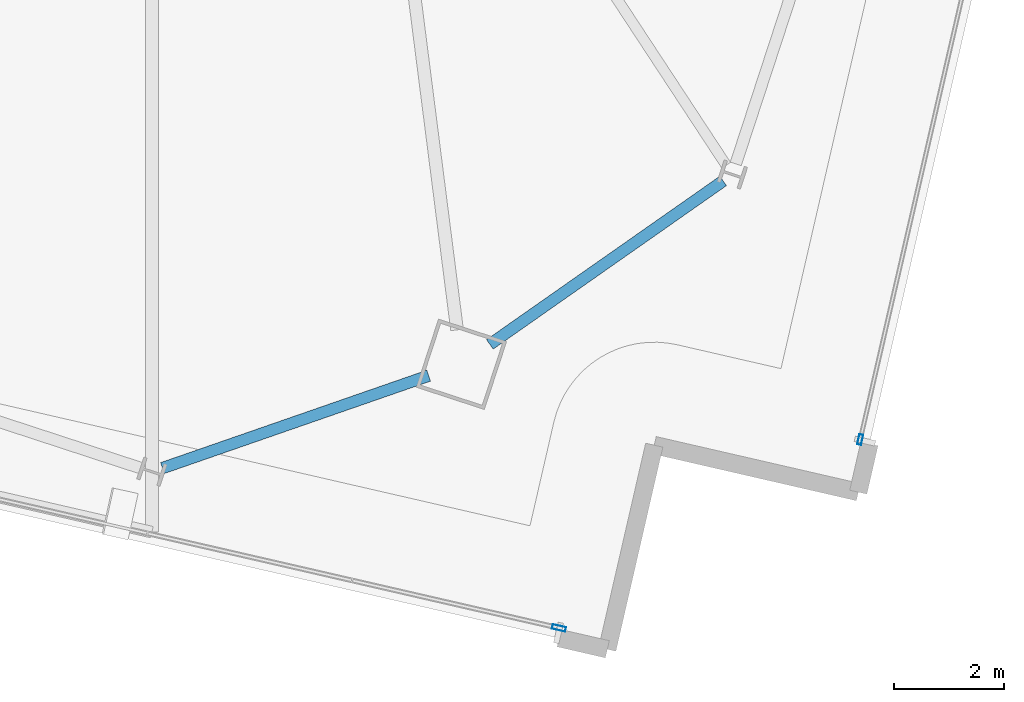
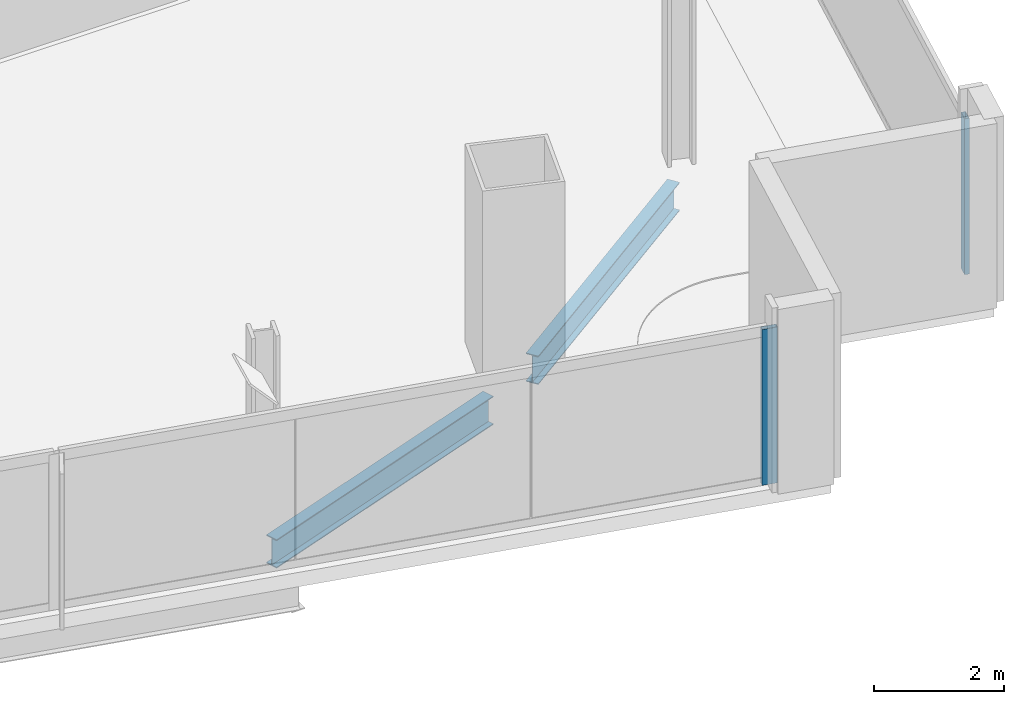
# One storey, part 8 of 28: 2 beams, 2 members, 2 elements without a shape of their own.
"""IFC4 building model written with IfcOpenShell, lengths in metres."""

import ifcopenshell
import ifcopenshell.guid

model = None  # the IFC model being written
_history = None  # IfcOwnerHistory: only IFC2X3 demands one
_inside = {}  # id of a spatial element -> (the spatial element, [elements in it])
_under = {}  # id of a project, library or spatial element -> (it, [spatial elements below it])
_declared = {}  # id of a project -> (the project, [libraries it declares])
_typed = {}  # id of a type object -> (the type object, [elements of that type])
_made_of = {}  # id of a material, layer set ... -> (it, [elements and type objects made of it])


def new_model(schema):
    """Start an empty IFC model of exactly this schema.

    Asked for "IFC4X3", IfcOpenShell would pick the latest addendum, in which some entities
    have other attributes; the version numbers below select the first issue.
    IFC2X3 requires an IfcOwnerHistory on every rooted entity: one is made here for all.
    """
    global model, _history
    if schema == "IFC4X3":
        model = ifcopenshell.file(schema_version=(4, 3, 0, 0))
    else:
        model = ifcopenshell.file(schema=schema)
    _inside.clear()
    _under.clear()
    _declared.clear()
    _typed.clear()
    _made_of.clear()
    _history = None
    if model.schema == "IFC2X3":
        org = make("IfcOrganization", Name="unknown")
        user = make(
            "IfcPersonAndOrganization",
            ThePerson=make("IfcPerson", FamilyName="unknown"),
            TheOrganization=org,
        )
        app = make(
            "IfcApplication",
            ApplicationDeveloper=org,
            Version="unknown",
            ApplicationFullName="unknown",
            ApplicationIdentifier="unknown",
        )
        _history = make(
            "IfcOwnerHistory",
            OwningUser=user,
            OwningApplication=app,
            ChangeAction="ADDED",
            CreationDate=0,
        )
    return model


def make(cls, **values):
    """One entity of the class cls with the attributes given. An attribute that is None is left unset."""
    return model.create_entity(
        cls, **{name: value for name, value in values.items() if value is not None}
    )


def rooted(cls, **values):
    """An entity with a GlobalId (a new one), such as an element, a storey or a relation."""
    return make(cls, GlobalId=ifcopenshell.guid.new(), OwnerHistory=_history, **values)


def si_unit(unit_type, name, prefix=None):
    """IfcSIUnit, for example si_unit("LENGTHUNIT", "METRE", prefix="MILLI")."""
    return make("IfcSIUnit", UnitType=unit_type, Prefix=prefix, Name=name)


def assignment(units):
    """IfcUnitAssignment: the units of a project."""
    return None if units is None else make("IfcUnitAssignment", Units=units)


def point(xyz):
    """IfcCartesianPoint."""
    return None if xyz is None else make("IfcCartesianPoint", Coordinates=xyz)


def direction(xyz):
    """IfcDirection."""
    return None if xyz is None else make("IfcDirection", DirectionRatios=xyz)


def frame(location, z_axis=None, x_axis=None):
    """IfcAxis2Placement3D, a coordinate frame: its origin and axes. An axis left out is left unset."""
    return make(
        "IfcAxis2Placement3D",
        Location=point(location),
        Axis=direction(z_axis),
        RefDirection=direction(x_axis),
    )


def frame_2d(location, x_axis=None):
    """IfcAxis2Placement2D, a coordinate frame in the plane: its origin and x axis."""
    return make(
        "IfcAxis2Placement2D", Location=point(location), RefDirection=direction(x_axis)
    )


def origin():
    """The frame at (0, 0, 0) with its axes left unset."""
    return frame((0.0, 0.0, 0.0))


def origin_2d():
    """The frame at (0, 0) in the plane with its x axis left unset."""
    return frame_2d((0.0, 0.0))


def place(relative_to, where):
    """IfcLocalPlacement: puts the frame where relative to a parent placement (None: the world)."""
    return make(
        "IfcLocalPlacement", PlacementRelTo=relative_to, RelativePlacement=where
    )


def context(
    kind, dimensions, precision=None, world=None, true_north=None, identifier=None
):
    """IfcGeometricRepresentationContext, for example the 3D "Model" context."""
    return make(
        "IfcGeometricRepresentationContext",
        ContextIdentifier=identifier,
        ContextType=kind,
        CoordinateSpaceDimension=dimensions,
        Precision=precision,
        WorldCoordinateSystem=world,
        TrueNorth=true_north,
    )


def subcontext(parent, identifier, kind, view, scale=None):
    """IfcGeometricRepresentationSubContext, for example "Body" below "Model"."""
    return make(
        "IfcGeometricRepresentationSubContext",
        ContextIdentifier=identifier,
        ContextType=kind,
        ParentContext=parent,
        TargetScale=scale,
        TargetView=view,
    )


def project(units=None, contexts=None):
    """IfcProject with its units and contexts."""
    return rooted(
        "IfcProject",
        Name="project",
        RepresentationContexts=contexts,
        UnitsInContext=assignment(units),
    )


def spatial(cls, under=None, at=None, **own):
    """A site, building, storey or space (cls), placed at a placement, below another one or the project."""
    s = rooted(cls, ObjectPlacement=at, **own)
    if under is not None:
        _under.setdefault(under.id(), (under, []))[1].append(s)
    return s


def profile(cls, at=None, kind="AREA", **sizes):
    """A parametric profile (cls). Its sizes go by their IFC names, for example OverallWidth=200.0."""
    return make(cls, ProfileType=kind, Position=at, **sizes)


def hollow_rectangle(**sizes):
    """IfcRectangleHollowProfileDef."""
    return profile("IfcRectangleHollowProfileDef", **sizes)


def i_section(**sizes):
    """IfcIShapeProfileDef."""
    return profile("IfcIShapeProfileDef", **sizes)


def extrude(swept, where, along, depth):
    """IfcExtrudedAreaSolid: the profile swept, set in the frame where, extruded along a direction by depth."""
    return make(
        "IfcExtrudedAreaSolid",
        SweptArea=swept,
        Position=where,
        ExtrudedDirection=direction(along),
        Depth=depth,
    )


def shape(context_of_items, identifier, shape_type, items):
    """IfcShapeRepresentation: the items that make up one representation, for example the "Body"."""
    return make(
        "IfcShapeRepresentation",
        ContextOfItems=context_of_items,
        RepresentationIdentifier=identifier,
        RepresentationType=shape_type,
        Items=items,
    )


def material(Name=None, Category=None):
    """IfcMaterial."""
    return make("IfcMaterial", Name=Name, Category=Category)


def material_profile(
    of_material, cross_section, Name=None, Category=None, Priority=None
):
    """IfcMaterialProfile: a cross section and its material."""
    return make(
        "IfcMaterialProfile",
        Name=Name,
        Material=of_material,
        Profile=cross_section,
        Priority=Priority,
        Category=Category,
    )


def profile_set(profiles, Name=None, composite=None):
    """IfcMaterialProfileSet."""
    return make(
        "IfcMaterialProfileSet",
        Name=Name,
        MaterialProfiles=profiles,
        CompositeProfile=composite,
    )


def made_of(thing, what):
    """Note that an element or type object is made of a material, layer set ...; save() writes the relation."""
    if what is not None:
        _made_of.setdefault(what.id(), (what, []))[1].append(thing)
    return thing


def type_object(cls, material=None, **own):
    """A type object (cls), such as IfcWallType, which elements share."""
    return made_of(rooted(cls, **own), material)


def element(
    cls,
    number,
    at=None,
    inside=None,
    cuts=None,
    type_object=None,
    material=None,
    context=None,
    identifier="Body",
    shape_type=None,
    held_by="IfcProductDefinitionShape",
    body=None,
    shapes=None,
    **own,
):
    """One element of the class cls, such as IfcWall. Its Tag is "e" and its number.

    at: its placement. inside: the storey or other place that contains it. cuts: it is an
    opening in that element (IfcRelVoidsElement). A single representation is given by context,
    identifier, shape_type and body (its items); several are given by shapes. held_by: the class
    of the entity that holds the representations. save() writes the other relations.
    """
    e = rooted(cls, Tag="e%d" % number, ObjectPlacement=at, **own)
    if body is not None:
        shapes = [shape(context, identifier, shape_type, body)]
    if shapes is not None:
        e.Representation = make(held_by, Representations=shapes)
    if inside is not None:
        _inside.setdefault(inside.id(), (inside, []))[1].append(e)
    if cuts is not None:
        rooted(
            "IfcRelVoidsElement", RelatingBuildingElement=cuts, RelatedOpeningElement=e
        )
    if type_object is not None:
        _typed.setdefault(type_object.id(), (type_object, []))[1].append(e)
    return made_of(e, material)


def aggregate(whole, parts):
    """IfcRelAggregates: a whole, such as a stair, and the parts it consists of."""
    return rooted("IfcRelAggregates", RelatingObject=whole, RelatedObjects=parts)


def save(model, path):
    """Write the relations noted so far, then the file.

    IfcRelAggregates (storeys below a building ...), IfcRelContainedInSpatialStructure (elements
    in a storey), IfcRelDefinesByType, IfcRelAssociatesMaterial and IfcRelDeclares: one each for
    every whole, place, type object, material and project.
    """
    for whole, parts in _under.values():
        aggregate(whole, parts)
    for where, things in _inside.values():
        rooted(
            "IfcRelContainedInSpatialStructure",
            RelatedElements=things,
            RelatingStructure=where,
        )
    for kind, things in _typed.values():
        rooted("IfcRelDefinesByType", RelatedObjects=things, RelatingType=kind)
    for what, things in _made_of.values():
        rooted("IfcRelAssociatesMaterial", RelatedObjects=things, RelatingMaterial=what)
    for by, libraries in _declared.values():
        rooted("IfcRelDeclares", RelatingContext=by, RelatedDefinitions=libraries)
    model.write(path)


model = new_model("IFC4")

# Units and contexts
model_context = context("Model", 3, precision=1e-05, world=origin(), true_north=direction((0.0, 1.0)))
body_context = subcontext(model_context, "Body", "Model", "MODEL_VIEW")
ifc_project = project(units=[si_unit("LENGTHUNIT", "METRE"), si_unit("AREAUNIT", "SQUARE_METRE"), si_unit("VOLUMEUNIT", "CUBIC_METRE"), si_unit("PLANEANGLEUNIT", "RADIAN"), si_unit("MASSUNIT", "GRAM", prefix="KILO")], contexts=[model_context])

# Site, building, storey
site_placement = place(None, origin())
site = spatial("IfcSite", under=ifc_project, at=site_placement, CompositionType="ELEMENT")
building_placement = place(site_placement, origin())
building = spatial("IfcBuilding", under=site, at=building_placement, Name="Haldenkirk Collegiate Tower", CompositionType="ELEMENT")
storey_placement = place(building_placement, frame((0.0, 0.0, 286.199951171875)))
storey = spatial("IfcBuildingStorey", under=building, at=storey_placement, Name="L72", CompositionType="ELEMENT", Elevation=286.199951171875)

# Beams
ifc_material_1 = material(Name="Steel ASTM A992 Grade 50", Category="steel")
ifc_material_profile_1 = material_profile(ifc_material_1, i_section(OverallWidth=0.2099609375, OverallDepth=0.537109375, WebThickness=0.010986328125, FlangeThickness=0.017333984375, at=origin_2d()), Name="W21X68")
ifc_profile_set_1 = profile_set([ifc_material_profile_1], Name="Steel ASTM A992 Grade 50")
beam_type = type_object("IfcBeamType", Name="BM-SPANDREL-W21X68", PredefinedType="SPANDREL", material=ifc_profile_set_1)
beam_1_placement = place(storey_placement, frame((47.243896484375, 4.805908203125, -0.538330078125), z_axis=(0.818943373955, 0.573874333156, 0.0), x_axis=(-0.573874333156, 0.818943373955, 0.0)))
element("IfcBeam", 1, at=beam_1_placement, inside=storey, type_object=beam_type, Name="L72 perimeter spandrel beam 01", PredefinedType="SPANDREL", context=body_context, shape_type="SweptSolid", body=[
    extrude(i_section(OverallWidth=0.2099609375, OverallDepth=0.537109375, WebThickness=0.010986328125, FlangeThickness=0.017333984375, at=origin_2d()), origin(), (0.0, 0.0, 1.0), 5.16943359375),
])
beam_2_placement = place(storey_placement, frame((41.302490234375, 2.56103515625, -0.538330078125), z_axis=(0.944700169719, 0.327935343221, 0.0), x_axis=(-0.327935343221, 0.944700169719, 0.0)))
element("IfcBeam", 2, at=beam_2_placement, inside=storey, type_object=beam_type, Name="L72 perimeter spandrel beam 16", PredefinedType="SPANDREL", context=body_context, shape_type="SweptSolid", body=[
    extrude(i_section(OverallWidth=0.2099609375, OverallDepth=0.537109375, WebThickness=0.010986328125, FlangeThickness=0.017333984375, at=origin_2d()), origin(), (0.0, 0.0, 1.0), 5.113037109375),
])

# Curtain wall, member
ifc_material_2 = material(Name="Anodised architectural bronze aluminium", Category="aluminium")
curtain_wall_type_1 = type_object("IfcCurtainWallType", Name="CW-SYS2-CONCAVE", PredefinedType="USERDEFINED", material=ifc_material_2)
curtain_wall_1_placement = place(storey_placement, origin())
curtain_wall_1 = element("IfcCurtainWall", 3, at=curtain_wall_1_placement, inside=storey, type_object=curtain_wall_type_1, Name="L72 South concave recessed bronze-anodised curtain wall", ObjectType="UNITISED CURTAIN WALL", PredefinedType="USERDEFINED")
ifc_material_profile_2 = material_profile(ifc_material_2, hollow_rectangle(XDim=0.074951171875, YDim=0.18994140625, WallThickness=0.0048828125, at=origin_2d()), Name="CW-MUL-02")
ifc_profile_set_2 = profile_set([ifc_material_profile_2], Name="Anodised architectural bronze aluminium")
member_type_1 = type_object("IfcMemberType", Name="CW-MUL-02", PredefinedType="MULLION", material=ifc_profile_set_2)
member_1_placement = place(storey_placement, frame((53.965087890625, 3.078369140625, 0.0), z_axis=(0.0, 0.0, 1.0), x_axis=(0.974566006497, -0.224100644756, 0.0)))
member_1 = element("IfcMember", 4, at=member_1_placement, type_object=member_type_1, Name="CW-02 mullion 4", PredefinedType="MULLION", context=body_context, shape_type="SweptSolid", body=[
    extrude(hollow_rectangle(XDim=0.074951171875, YDim=0.18994140625, WallThickness=0.0048828125, at=origin_2d()), origin(), (0.0, 0.0, 1.0), 2.93798828125),
])
aggregate(curtain_wall_1, [member_1])

curtain_wall_type_2 = type_object("IfcCurtainWallType", Name="CW-SYS1B-CONVEX-HI", PredefinedType="USERDEFINED", material=ifc_material_2)
curtain_wall_2_placement = place(storey_placement, origin())
curtain_wall_2 = element("IfcCurtainWall", 5, at=curtain_wall_2_placement, inside=storey, type_object=curtain_wall_type_2, Name="L72 Upper tower high-wind convex bronze unitised curtain wall", ObjectType="UNITISED CURTAIN WALL", PredefinedType="USERDEFINED")
ifc_material_profile_3 = material_profile(ifc_material_2, hollow_rectangle(XDim=0.0849609375, YDim=0.25, WallThickness=0.0048828125, at=origin_2d()), Name="CW-MUL-1B")
ifc_profile_set_3 = profile_set([ifc_material_profile_3], Name="Anodised architectural bronze aluminium")
member_type_2 = type_object("IfcMemberType", Name="CW-MUL-1B", PredefinedType="MULLION", material=ifc_profile_set_3)
member_2_placement = place(storey_placement, frame((48.497314453125, -0.340576171875, 0.0), z_axis=(0.0, 0.0, 1.0), x_axis=(-0.22410077316, -0.974565976971, 0.0)))
member_2 = element("IfcMember", 6, at=member_2_placement, type_object=member_type_2, Name="CW-1B mullion 1", PredefinedType="MULLION", context=body_context, shape_type="SweptSolid", body=[
    extrude(hollow_rectangle(XDim=0.0849609375, YDim=0.25, WallThickness=0.0048828125, at=origin_2d()), origin(), (0.0, 0.0, 1.0), 2.93798828125),
])
aggregate(curtain_wall_2, [member_2])

save(model, "model.ifc")
